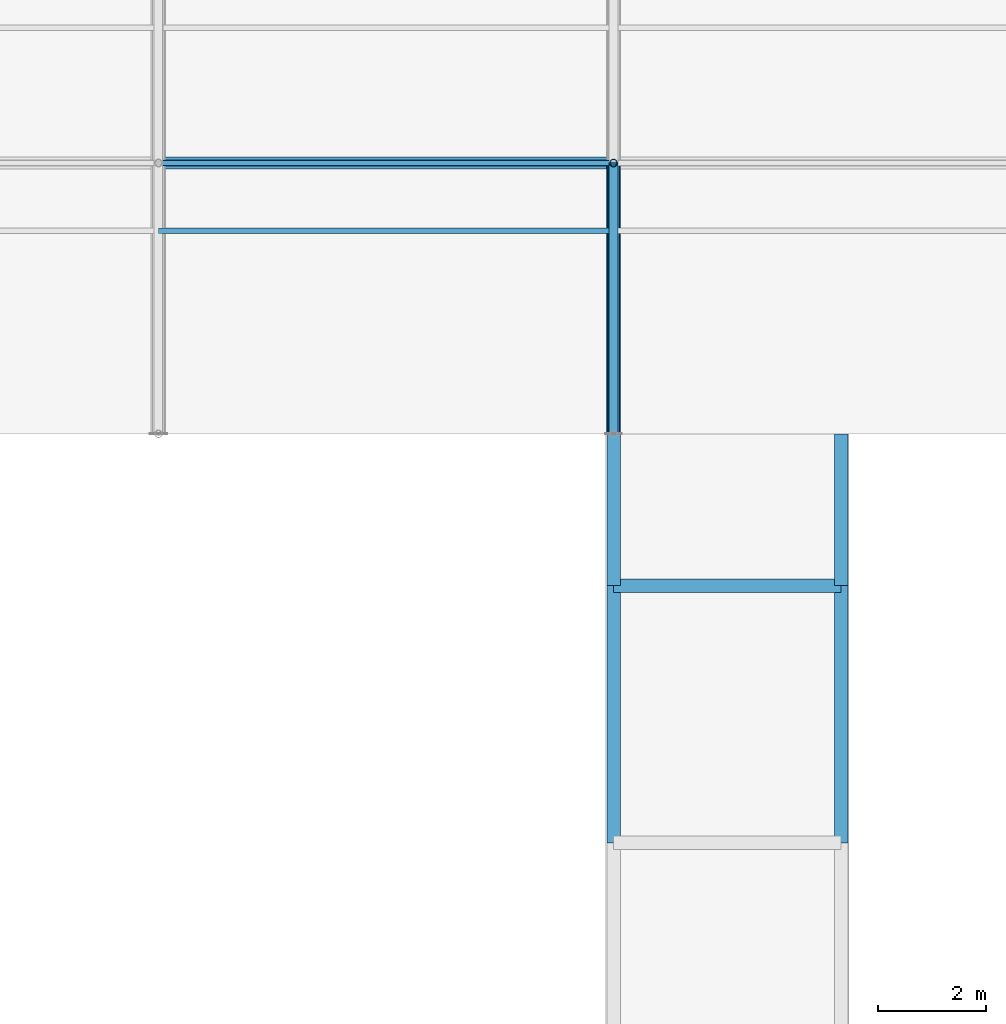
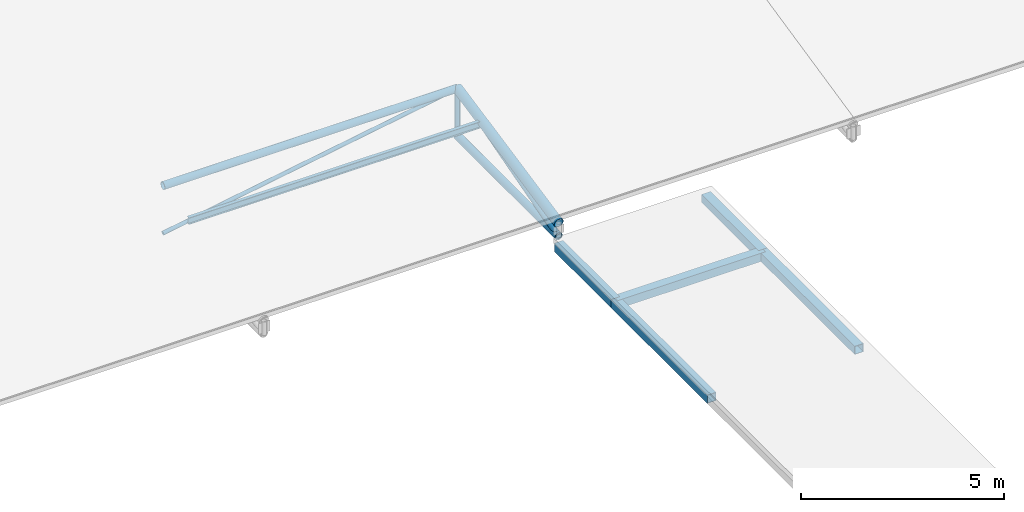
# One storey, part 20 of 194: 11 members, 1 beam.
"""IFC4 building model written with IfcOpenShell, lengths in metres."""

from ifc_helpers import new_model, si_unit, direction, frame, origin, origin_2d, place, context, subcontext, project, spatial, hollow_rectangle, hollow_circle, i_section, extrude, material, material_profile, profile_set, type_object, element, save


model = new_model("IFC4")

# Units and contexts
model_context = context("Model", 3, precision=1e-05, world=origin(), true_north=direction((0.0, 1.0)))
body_context = subcontext(model_context, "Body", "Model", "MODEL_VIEW")
ifc_project = project(units=[si_unit("LENGTHUNIT", "METRE"), si_unit("AREAUNIT", "SQUARE_METRE"), si_unit("VOLUMEUNIT", "CUBIC_METRE"), si_unit("PLANEANGLEUNIT", "RADIAN"), si_unit("MASSUNIT", "GRAM", prefix="KILO")], contexts=[model_context])

# Site, building, storey
site_placement = place(None, origin())
site = spatial("IfcSite", under=ifc_project, at=site_placement, CompositionType="ELEMENT")
building_placement = place(site_placement, origin())
building = spatial("IfcBuilding", under=site, at=building_placement, Name="Kazenagashi Tramway Depot", CompositionType="ELEMENT")
storey_placement = place(building_placement, frame((0.0, 0.0, 23.7)))
storey = spatial("IfcBuildingStorey", under=building, at=storey_placement, Name="ROOF", CompositionType="ELEMENT", Elevation=23.7)

# Beam
ifc_material_1 = material(Name="Steel SN400B", Category="steel")
ifc_material_profile_1 = material_profile(ifc_material_1, i_section(OverallWidth=0.1, OverallDepth=0.2, WebThickness=0.0055, FlangeThickness=0.008, at=origin_2d()), Name="H-200x100x5.5x8")
ifc_profile_set_1 = profile_set([ifc_material_profile_1], Name="Steel SN400B")
beam_type = type_object("IfcBeamType", Name="PR-01", PredefinedType="USERDEFINED", material=ifc_profile_set_1)
beam_placement = place(storey_placement, frame((78.4, 73.75, -12.955), z_axis=(1.0, 0.0, 0.0), x_axis=(0.0, 1.0, 0.0)))
element("IfcBeam", 1, at=beam_placement, inside=storey, type_object=beam_type, Name="Beam PR-01 BM-2022", ObjectType="PURLIN", PredefinedType="USERDEFINED", context=body_context, shape_type="SweptSolid", body=[
    extrude(i_section(OverallWidth=0.1, OverallDepth=0.2, WebThickness=0.0055, FlangeThickness=0.008, at=origin_2d()), origin(), (0.0, 0.0, 1.0), 8.4),
])

# Members
ifc_material_2 = material(Name="Steel STK490", Category="steel")
ifc_material_profile_2 = material_profile(ifc_material_2, hollow_circle(Radius=0.1337, WallThickness=0.0093, at=origin_2d()), Name="CHS-267.4x9.3")
ifc_profile_set_2 = profile_set([ifc_material_profile_2], Name="Steel STK490")
member_type_1 = type_object("IfcMemberType", Name="TC-01", PredefinedType="CHORD", material=ifc_profile_set_2)
member_1_placement = place(storey_placement, frame((86.8, 70.0, -13.7), z_axis=(0.0, 0.979317999984, 0.202327098797), x_axis=(-1.0, 0.0, 0.0)))
element("IfcMember", 2, at=member_1_placement, inside=storey, type_object=member_type_1, Name="Tubular Space Frame TC-01 MEM-0306", PredefinedType="CHORD", context=body_context, shape_type="SweptSolid", body=[
    extrude(hollow_circle(Radius=0.1337, WallThickness=0.0093, at=origin_2d()), origin(), (0.0, 0.0, 1.0), 5.105594),
])
ifc_material_profile_3 = material_profile(ifc_material_2, hollow_circle(Radius=0.10815, WallThickness=0.0082, at=origin_2d()), Name="CHS-216.3x8.2")
ifc_profile_set_3 = profile_set([ifc_material_profile_3], Name="Steel STK490")
member_type_2 = type_object("IfcMemberType", Name="TC-02", PredefinedType="CHORD", material=ifc_profile_set_3)
member_2_placement = place(storey_placement, frame((78.4, 75.0, -12.667), z_axis=(1.0, 0.0, 0.0), x_axis=(0.0, 1.0, 0.0)))
element("IfcMember", 3, at=member_2_placement, inside=storey, type_object=member_type_2, Name="Tubular Space Frame TC-02 MEM-0270", PredefinedType="CHORD", context=body_context, shape_type="SweptSolid", body=[
    extrude(hollow_circle(Radius=0.10815, WallThickness=0.0082, at=origin_2d()), origin(), (0.0, 0.0, 1.0), 8.4),
])
member_3_placement = place(storey_placement, frame((86.8, 70.0, -14.1), z_axis=(0.0, 1.0, 0.0), x_axis=(-1.0, 0.0, 0.0)))
element("IfcMember", 4, at=member_3_placement, inside=storey, type_object=member_type_2, Name="Tubular Space Frame TC-02 MEM-0307", PredefinedType="CHORD", context=body_context, shape_type="SweptSolid", body=[
    extrude(hollow_circle(Radius=0.10815, WallThickness=0.0082, at=origin_2d()), origin(), (0.0, 0.0, 1.0), 5.0),
])
ifc_material_3 = material(Name="Weathering Steel SMA490W", Category="steel")
ifc_material_profile_4 = material_profile(ifc_material_3, hollow_rectangle(XDim=0.25, YDim=0.25, WallThickness=0.009, at=origin_2d()), Name="SHS-250x250x9")
ifc_profile_set_4 = profile_set([ifc_material_profile_4], Name="Weathering Steel SMA490W")
member_type_3 = type_object("IfcMemberType", Name="TC-04", PredefinedType="CHORD", material=ifc_profile_set_4)
member_4_placement = place(storey_placement, frame((86.8, 62.45, -14.39), z_axis=(0.0, 1.0, 0.0), x_axis=(-1.0, 0.0, 0.0)))
element("IfcMember", 5, at=member_4_placement, inside=storey, type_object=member_type_3, Name="Link Bridge Truss TC-04 MEM-1567", PredefinedType="CHORD", context=body_context, shape_type="SweptSolid", body=[
    extrude(hollow_rectangle(XDim=0.25, YDim=0.25, WallThickness=0.009, at=origin_2d()), origin(), (0.0, 0.0, 1.0), 4.75),
])
member_5_placement = place(storey_placement, frame((86.8, 67.2, -14.39), z_axis=(0.0, 1.0, 0.0), x_axis=(-1.0, 0.0, 0.0)))
element("IfcMember", 6, at=member_5_placement, inside=storey, type_object=member_type_3, Name="Link Bridge Truss TC-04 MEM-1570", PredefinedType="CHORD", context=body_context, shape_type="SweptSolid", body=[
    extrude(hollow_rectangle(XDim=0.25, YDim=0.25, WallThickness=0.009, at=origin_2d()), origin(), (0.0, 0.0, 1.0), 2.8),
])
member_6_placement = place(storey_placement, frame((91.0, 62.45, -14.39), z_axis=(0.0, 1.0, 0.0), x_axis=(-1.0, 0.0, 0.0)))
element("IfcMember", 7, at=member_6_placement, inside=storey, type_object=member_type_3, Name="Link Bridge Truss TC-04 MEM-1579", PredefinedType="CHORD", context=body_context, shape_type="SweptSolid", body=[
    extrude(hollow_rectangle(XDim=0.25, YDim=0.25, WallThickness=0.009, at=origin_2d()), origin(), (0.0, 0.0, 1.0), 4.75),
])
member_7_placement = place(storey_placement, frame((91.0, 67.2, -14.39), z_axis=(0.0, 1.0, 0.0), x_axis=(-1.0, 0.0, 0.0)))
element("IfcMember", 8, at=member_7_placement, inside=storey, type_object=member_type_3, Name="Link Bridge Truss TC-04 MEM-1582", PredefinedType="CHORD", context=body_context, shape_type="SweptSolid", body=[
    extrude(hollow_rectangle(XDim=0.25, YDim=0.25, WallThickness=0.009, at=origin_2d()), origin(), (0.0, 0.0, 1.0), 2.8),
])
member_8_placement = place(storey_placement, frame((86.8, 67.2, -14.39), z_axis=(1.0, 0.0, 0.0), x_axis=(0.0, 1.0, 0.0)))
element("IfcMember", 9, at=member_8_placement, inside=storey, type_object=member_type_3, Name="Link Bridge Truss TC-04 MEM-1589", PredefinedType="CHORD", context=body_context, shape_type="SweptSolid", body=[
    extrude(hollow_rectangle(XDim=0.25, YDim=0.25, WallThickness=0.009, at=origin_2d()), origin(), (0.0, 0.0, 1.0), 4.2),
])
ifc_material_profile_5 = material_profile(ifc_material_2, hollow_circle(Radius=0.0826, WallThickness=0.0071, at=origin_2d()), Name="CHS-165.2x7.1")
ifc_profile_set_5 = profile_set([ifc_material_profile_5], Name="Steel STK490")
member_type_4 = type_object("IfcMemberType", Name="TS-01", PredefinedType="STRUT", material=ifc_profile_set_5)
member_9_placement = place(storey_placement, frame((86.8, 70.0, -14.1), z_axis=(0.0, 0.961298717795, 0.27550821252), x_axis=(-1.0, 0.0, 0.0)))
element("IfcMember", 10, at=member_9_placement, inside=storey, type_object=member_type_4, Name="Tubular Space Frame TS-01 MEM-0308", PredefinedType="STRUT", context=body_context, shape_type="SweptSolid", body=[
    extrude(hollow_circle(Radius=0.0826, WallThickness=0.0071, at=origin_2d()), origin(), (0.0, 0.0, 1.0), 5.201297),
])
ifc_material_profile_6 = material_profile(ifc_material_2, hollow_circle(Radius=0.0699, WallThickness=0.0066, at=origin_2d()), Name="CHS-139.8x6.6")
ifc_profile_set_6 = profile_set([ifc_material_profile_6], Name="Steel STK490")
member_type_5 = type_object("IfcMemberType", Name="TS-02", PredefinedType="STRUT", material=ifc_profile_set_6)
member_10_placement = place(storey_placement, frame((86.8, 75.0, -14.1), z_axis=(0.0, 0.0, 1.0), x_axis=(1.0, 0.0, 0.0)))
element("IfcMember", 11, at=member_10_placement, inside=storey, type_object=member_type_5, Name="Tubular Space Frame TS-02 MEM-0325", PredefinedType="STRUT", context=body_context, shape_type="SweptSolid", body=[
    extrude(hollow_circle(Radius=0.0699, WallThickness=0.0066, at=origin_2d()), origin(), (0.0, 0.0, 1.0), 1.433),
])
ifc_material_4 = material(Name="Steel STK400", Category="steel")
ifc_material_profile_7 = material_profile(ifc_material_4, hollow_circle(Radius=0.05715, WallThickness=0.0045, at=origin_2d()), Name="CHS-114.3x4.5")
ifc_profile_set_7 = profile_set([ifc_material_profile_7], Name="Steel STK400")
member_type_6 = type_object("IfcMemberType", Name="TS-03", PredefinedType="STRUT", material=ifc_profile_set_7)
member_11_placement = place(storey_placement, frame((78.4, 75.0, -14.1), z_axis=(0.985758734117, 0.0, 0.168165745951), x_axis=(0.0, 1.0, 0.0)))
element("IfcMember", 12, at=member_11_placement, inside=storey, type_object=member_type_6, Name="Tubular Space Frame TS-03 MEM-0271", PredefinedType="STRUT", context=body_context, shape_type="SweptSolid", body=[
    extrude(hollow_circle(Radius=0.05715, WallThickness=0.0045, at=origin_2d()), origin(), (0.0, 0.0, 1.0), 8.521355),
])

save(model, "model.ifc")
